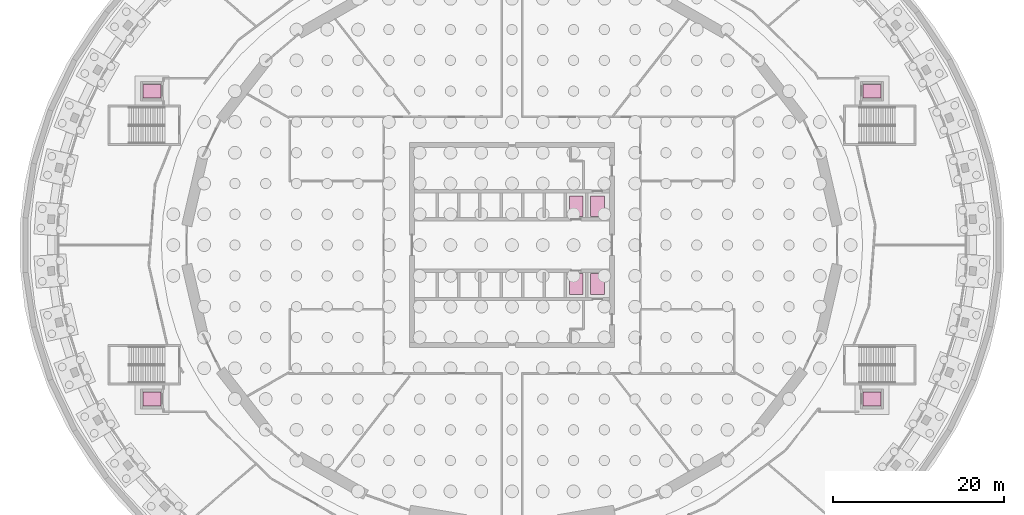
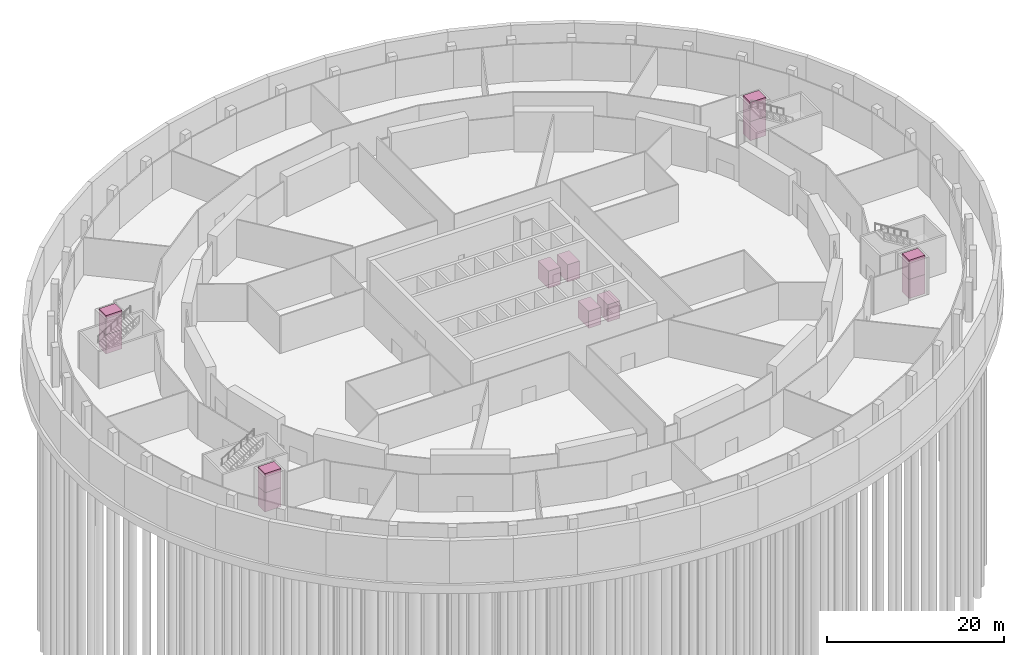
# One storey, part 15 of 15: 12 transport elements.
"""IFC4 building model written with IfcOpenShell, lengths in metres."""

from ifc_helpers import new_model, si_unit, direction, frame, origin, origin_2d, place, context, subcontext, project, spatial, rectangle, extrude, material, type_object, element, save


model = new_model("IFC4")

# Units and contexts
model_context = context("Model", 3, precision=1e-05, world=origin(), true_north=direction((0.0, 1.0)))
body_context = subcontext(model_context, "Body", "Model", "MODEL_VIEW")
ifc_project = project(units=[si_unit("LENGTHUNIT", "METRE"), si_unit("AREAUNIT", "SQUARE_METRE"), si_unit("VOLUMEUNIT", "CUBIC_METRE"), si_unit("PLANEANGLEUNIT", "RADIAN"), si_unit("MASSUNIT", "GRAM", prefix="KILO")], contexts=[model_context])

# Site, building, storey
site_placement = place(None, origin())
site = spatial("IfcSite", under=ifc_project, at=site_placement, CompositionType="ELEMENT")
building_placement = place(site_placement, origin())
building = spatial("IfcBuilding", under=site, at=building_placement, Name="Halqa Exchange Tower", CompositionType="ELEMENT")
storey_placement = place(building_placement, frame((0.0, 0.0, -15.0)))
storey = spatial("IfcBuildingStorey", under=building, at=storey_placement, Name="B3", CompositionType="ELEMENT", Elevation=-15.0)

# Transport elements
ifc_material = material(Name="Stainless steel", Category="steel")
transport_element_type_1 = type_object("IfcTransportElementType", Name="Accessible station lift 1600 x 2100", PredefinedType="ELEVATOR", material=ifc_material)
for number, where, z_axis, x_axis, name in (
    (1, (42.10009765625, 18.0, 0.0), (0.0, 0.0, 1.0), (1.0, 0.0, 0.0), "Accessible station lift AL1"),
    (2, (42.10009765625, 18.0, 2.650146484375), (0.0, 0.0, 1.0), (1.0, 0.0, 0.0), "Accessible station lift AL1"),
    (3, (42.10009765625, -18.0, 0.0), (0.0, 0.0, 1.0), (1.0, 0.0, 0.0), "Accessible station lift AL2"),
    (4, (42.10009765625, -18.0, 2.650146484375), (0.0, 0.0, 1.0), (1.0, 0.0, 0.0), "Accessible station lift AL2"),
    (5, (-42.10009765625, 18.0, 0.0), (0.0, 0.0, 1.0), (1.0, 0.0, 0.0), "Accessible station lift AL3"),
    (6, (-42.10009765625, 18.0, 2.650146484375), (0.0, 0.0, 1.0), (1.0, 0.0, 0.0), "Accessible station lift AL3"),
    (7, (-42.10009765625, -18.0, 0.0), (0.0, 0.0, 1.0), (1.0, 0.0, 0.0), "Accessible station lift AL4"),
    (8, (-42.10009765625, -18.0, 2.650146484375), (0.0, 0.0, 1.0), (1.0, 0.0, 0.0), "Accessible station lift AL4"),
):
    element("IfcTransportElement", number, at=place(storey_placement, frame(where, z_axis=z_axis, x_axis=x_axis)), inside=storey, type_object=transport_element_type_1, Name=name, PredefinedType="ELEVATOR", context=body_context, shape_type="SweptSolid", body=[
        extrude(rectangle(XDim=2.10009765625, YDim=1.60009765625, at=origin_2d()), origin(), (0.0, 0.0, 1.0), 2.64990234375),
    ])
transport_element_type_2 = type_object("IfcTransportElementType", Name="Firefighting lift 1600 x 2400", PredefinedType="ELEVATOR", material=ifc_material)
for number, where, z_axis, x_axis, name in (
    (9, (10.0, 4.550048828125, 0.0), (0.0, 0.0, 1.0), (1.0, 0.0, 0.0), "Firefighting lift FF1"),
    (10, (10.0, -4.550048828125, 0.0), (0.0, 0.0, 1.0), (1.0, 0.0, 0.0), "Firefighting lift FF2"),
):
    element("IfcTransportElement", number, at=place(storey_placement, frame(where, z_axis=z_axis, x_axis=x_axis)), inside=storey, type_object=transport_element_type_2, Name=name, PredefinedType="ELEVATOR", context=body_context, shape_type="SweptSolid", body=[
        extrude(rectangle(XDim=1.60009765625, YDim=2.39990234375, at=origin_2d()), origin(), (0.0, 0.0, 1.0), 2.39990234375),
    ])
transport_element_type_3 = type_object("IfcTransportElementType", Name="Service lift 1600 x 2400", PredefinedType="ELEVATOR", material=ifc_material)
for number, where, z_axis, x_axis, name in (
    (11, (7.5, 4.550048828125, 0.0), (0.0, 0.0, 1.0), (1.0, 0.0, 0.0), "Service lift SV1"),
    (12, (7.5, -4.550048828125, 0.0), (0.0, 0.0, 1.0), (1.0, 0.0, 0.0), "Service lift SV2"),
):
    element("IfcTransportElement", number, at=place(storey_placement, frame(where, z_axis=z_axis, x_axis=x_axis)), inside=storey, type_object=transport_element_type_3, Name=name, PredefinedType="ELEVATOR", context=body_context, shape_type="SweptSolid", body=[
        extrude(rectangle(XDim=1.60009765625, YDim=2.39990234375, at=origin_2d()), origin(), (0.0, 0.0, 1.0), 2.39990234375),
    ])

save(model, "model.ifc")
